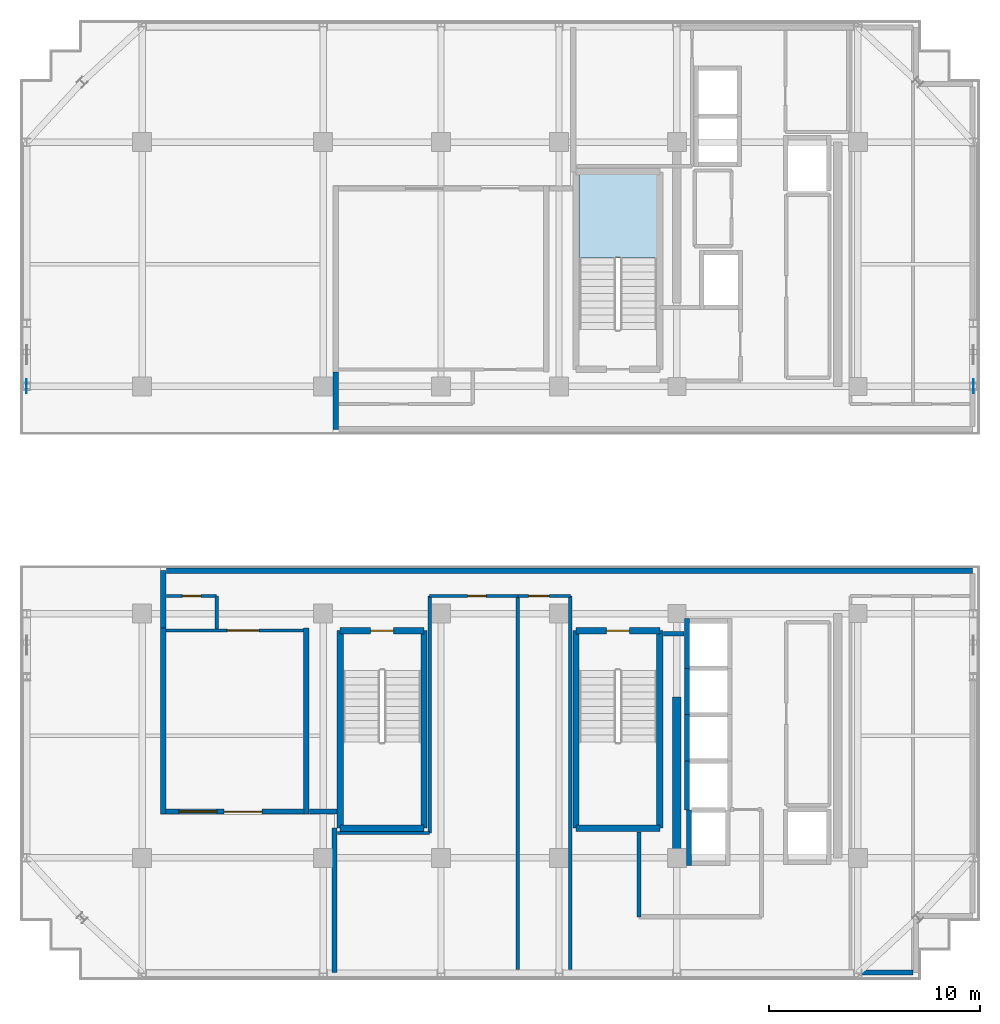
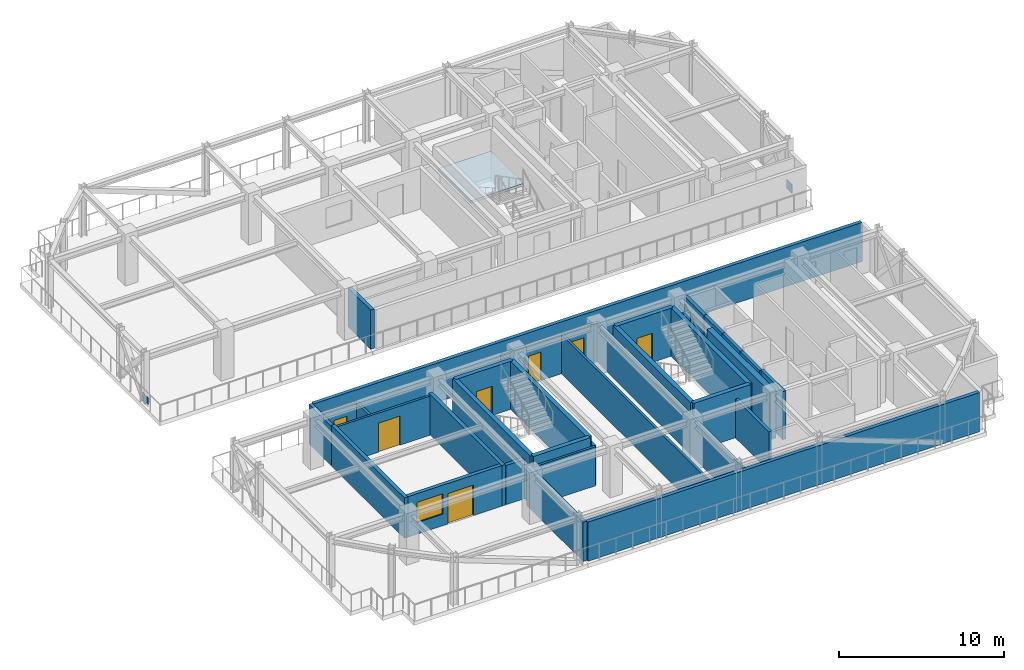
# One storey, part 5 of 14: 34 walls, 7 doors, 2 plates, 1 slab, 1 window, 8 openings, 1 element without a shape of its own.
"""IFC4 building model written with IfcOpenShell, lengths in metres."""

from ifc_helpers import new_model, si_unit, direction, frame, frame_2d, origin, origin_2d, place, context, subcontext, project, spatial, polyline, rectangle, outline, extrude, source, transform, mapped, material, layer, layer_set, type_object, element, fill, aggregate, save


model = new_model("IFC4")

# Units and contexts
model_context = context("Model", 3, precision=1e-05, world=origin(), true_north=direction((0.0, 1.0)))
body_context = subcontext(model_context, "Body", "Model", "MODEL_VIEW")
ifc_project = project(units=[si_unit("LENGTHUNIT", "METRE"), si_unit("AREAUNIT", "SQUARE_METRE"), si_unit("VOLUMEUNIT", "CUBIC_METRE"), si_unit("PLANEANGLEUNIT", "RADIAN"), si_unit("MASSUNIT", "GRAM", prefix="KILO")], contexts=[model_context])

# Site, building, storey
site_placement = place(None, origin())
site = spatial("IfcSite", under=ifc_project, at=site_placement, CompositionType="ELEMENT")
building_placement = place(site_placement, origin())
building = spatial("IfcBuilding", under=site, at=building_placement, Name="Nahalor Promenade Grand Hotel", CompositionType="ELEMENT")
storey_placement = place(building_placement, frame((0.0, 0.0, 296.5)))
storey = spatial("IfcBuildingStorey", under=building, at=storey_placement, Name="L76", CompositionType="ELEMENT", Elevation=296.5)

# Stair, slab
ifc_material_1 = material(Name="Concrete B-50 (C40/50)", Category="concrete")
stair_type = type_object("IfcStairType", Name="Stair-ST1", PredefinedType="HALF_TURN_STAIR", material=ifc_material_1)
stair_placement = place(storey_placement, origin())
stair = element("IfcStair", 1, at=stair_placement, inside=storey, type_object=stair_type, Name="L76 ST1", PredefinedType="HALF_TURN_STAIR")
ifc_layer_1 = layer(ifc_material_1, 0.199951171875)
ifc_layer_set_1 = layer_set([ifc_layer_1], Name="Concrete B-50 (C40/50)")
slab_type = type_object("IfcSlabType", Name="Landing-ST1", PredefinedType="LANDING", material=ifc_layer_set_1)
slab_placement = place(storey_placement, frame((0.0, 0.0, 1.72509765625)))
slab = element("IfcSlab", 2, at=slab_placement, type_object=slab_type, Name="ST1 landing 1", PredefinedType="LANDING", context=body_context, shape_type="SweptSolid", body=[
    extrude(outline(polyline([(7.449951171875, 11.5), (7.449951171875, 15.449951171875), (3.75, 15.449951171875), (3.75, 11.5), (7.449951171875, 11.5)])), origin(), (0.0, 0.0, 1.0), 0.199951171875),
])
aggregate(stair, [slab])

# Plates
ifc_material_2 = material(Name="Steel S355JR", Category="steel")
ifc_layer_2 = layer(ifc_material_2, 0.02392578125)
ifc_layer_set_2 = layer_set([ifc_layer_2], Name="Steel S355JR")
plate_type = type_object("IfcPlateType", Name="Plate-Gusset-24", PredefinedType="USERDEFINED", material=ifc_layer_set_2)
shared_shape_1 = source(origin(), body_context, "Body", "SweptSolid", [
    extrude(rectangle(XDim=0.679931640625, YDim=0.02392578125, at=origin_2d()), origin(), (0.0, 0.0, 1.0), 0.679931640625),
])
for number, where, z_axis, x_axis, name in (
    (3, (-22.47998046875, 5.39990234375, -0.18994140625), (0.0, 0.0, 1.0), (0.0, 1.0, 0.0), "PL-L76-PN1-W"),
    (4, (22.47998046875, 5.39990234375, -0.18994140625), (0.0, 0.0, 1.0), (0.0, 1.0, 0.0), "PL-L76-PN1-E"),
):
    element("IfcPlate", number, at=place(storey_placement, frame(where, z_axis=z_axis, x_axis=x_axis)), inside=storey, type_object=plate_type, Name=name, ObjectType="GUSSET_PLATE", PredefinedType="USERDEFINED", context=body_context, shape_type="MappedRepresentation", body=[
        mapped(shared_shape_1, transform((0.0, 0.0, 0.0), scale=1.0)),
    ])

# Walls
ifc_layer_3 = layer(ifc_material_1, 0.39990234375)
ifc_layer_set_3 = layer_set([ifc_layer_3], Name="Concrete B-50 (C40/50)")
wall_type_1 = type_object("IfcWallType", Name="Wall-CoreShear-400", PredefinedType="SHEAR", material=ifc_layer_set_3)
shared_shape_2 = source(origin(), body_context, "Body", "SweptSolid", [
    extrude(rectangle(XDim=7.64990234375, YDim=0.39990234375, at=frame_2d((3.824951171875, 0.0))), origin(), (0.0, 0.0, 1.0), 3.550048828125),
])
wall_1_placement = place(storey_placement, frame((8.39990234375, -17.0, 0.0), z_axis=(0.0, 0.0, 1.0), x_axis=(0.0, 1.0, 0.0)))
element("IfcWall", 5, at=wall_1_placement, inside=storey, type_object=wall_type_1, Name="CWALL-L76-SW", PredefinedType="SHEAR", context=body_context, shape_type="MappedRepresentation", body=[
    mapped(shared_shape_2, transform((0.0, 0.0, 0.0), scale=1.0)),
])
ifc_layer_4 = layer(ifc_material_1, 0.300048828125)
ifc_layer_set_4 = layer_set([ifc_layer_4], Name="Concrete B-50 (C40/50)")
wall_type_2 = type_object("IfcWallType", Name="Wall-ShaftShear-300", PredefinedType="SHEAR", material=ifc_layer_set_4)
shared_shape_3 = source(origin(), body_context, "Body", "SweptSolid", [
    extrude(rectangle(XDim=3.97998046875, YDim=0.300048828125, at=frame_2d((1.989990234375, 0.0))), origin(), (0.0, 0.0, 1.0), 3.550048828125),
])
wall_2_placement = place(storey_placement, frame((3.610107421875, -15.590087890625, 0.0), z_axis=(0.0, 0.0, 1.0), x_axis=(1.0, 0.0, 0.0)))
element("IfcWall", 6, at=wall_2_placement, inside=storey, type_object=wall_type_2, Name="L76 Exit Stair ST2 Shaft Wall S", PredefinedType="SHEAR", context=body_context, shape_type="MappedRepresentation", body=[
    mapped(shared_shape_3, transform((0.0, 0.0, 0.0), scale=1.0)),
])

# Wall, opening, door
wall_3_placement = place(storey_placement, frame((3.610107421875, -6.2099609375, 0.0), z_axis=(0.0, 0.0, 1.0), x_axis=(1.0, 0.0, 0.0)))
wall_3 = element("IfcWall", 7, at=wall_3_placement, inside=storey, type_object=wall_type_2, Name="L76 Exit Stair ST2 Shaft Wall N", PredefinedType="SHEAR", context=body_context, shape_type="MappedRepresentation", body=[
    mapped(shared_shape_3, transform((0.0, 0.0, 0.0), scale=1.0)),
])
opening_1_placement = place(wall_3_placement, frame((1.43994140625, 0.0, 0.0)))
opening_1 = element("IfcOpeningElement", 8, at=opening_1_placement, cuts=wall_3, Name="Opening D-ST1", PredefinedType="OPENING", context=body_context, shape_type="SweptSolid", body=[
    extrude(rectangle(XDim=1.10009765625, YDim=2.14990234375, at=frame_2d((0.550048828125, 1.074951171875))), frame((0.0, 0.159912109375, 0.0), z_axis=(0.0, -1.0, 0.0), x_axis=(1.0, 0.0, 0.0)), (0.0, 0.0, 1.0), 0.320068359375),
])
door_type_1 = type_object("IfcDoorType", Name="Door-StairFire-1100", OperationType="NOTDEFINED", PredefinedType="DOOR", material=ifc_material_2)
shared_shape_4 = source(origin(), body_context, "Body", "SweptSolid", [
    extrude(rectangle(XDim=1.10009765625, YDim=2.14990234375, at=frame_2d((0.550048828125, 1.074951171875))), frame((0.0, 0.02490234375, 0.0), z_axis=(0.0, -1.0, 0.0), x_axis=(1.0, 0.0, 0.0)), (0.0, 0.0, 1.0), 0.050048828125),
])
door_1_placement = place(opening_1_placement, frame((1.10009765625, 0.0, 0.0), z_axis=(0.0, 0.0, 1.0), x_axis=(-1.0, 0.0, 0.0)))
door_1 = element("IfcDoor", 9, at=door_1_placement, inside=storey, type_object=door_type_1, Name="DR-STAIR-ST2-L76", OperationType="SINGLE_SWING_LEFT", OverallHeight=2.14990234375, OverallWidth=1.10009765625, PredefinedType="DOOR", context=body_context, shape_type="MappedRepresentation", body=[
    mapped(shared_shape_4, transform((0.0, 0.0, 0.0), scale=1.0)),
])
fill(opening_1, door_1)

# Wall
wall_4_placement = place(storey_placement, frame((-7.590087890625, -15.590087890625, 0.0), z_axis=(0.0, 0.0, 1.0), x_axis=(1.0, 0.0, 0.0)))
element("IfcWall", 10, at=wall_4_placement, inside=storey, type_object=wall_type_2, Name="L76 Exit Stair ST3 Shaft Wall S", PredefinedType="SHEAR", context=body_context, shape_type="MappedRepresentation", body=[
    mapped(shared_shape_3, transform((0.0, 0.0, 0.0), scale=1.0)),
])

# Wall, opening, door
wall_5_placement = place(storey_placement, frame((-7.590087890625, -6.2099609375, 0.0), z_axis=(0.0, 0.0, 1.0), x_axis=(1.0, 0.0, 0.0)))
wall_5 = element("IfcWall", 11, at=wall_5_placement, inside=storey, type_object=wall_type_2, Name="L76 Exit Stair ST3 Shaft Wall N", PredefinedType="SHEAR", context=body_context, shape_type="MappedRepresentation", body=[
    mapped(shared_shape_3, transform((0.0, 0.0, 0.0), scale=1.0)),
])
opening_2_placement = place(wall_5_placement, frame((1.43994140625, 0.0, 0.0)))
opening_2 = element("IfcOpeningElement", 12, at=opening_2_placement, cuts=wall_5, Name="Opening D-ST1", PredefinedType="OPENING", context=body_context, shape_type="SweptSolid", body=[
    extrude(rectangle(XDim=1.10009765625, YDim=2.14990234375, at=frame_2d((0.550048828125, 1.074951171875))), frame((0.0, 0.159912109375, 0.0), z_axis=(0.0, -1.0, 0.0), x_axis=(1.0, 0.0, 0.0)), (0.0, 0.0, 1.0), 0.320068359375),
])
door_2_placement = place(opening_2_placement, frame((1.10009765625, 0.0, 0.0), z_axis=(0.0, 0.0, 1.0), x_axis=(-1.0, 0.0, 0.0)))
door_2 = element("IfcDoor", 13, at=door_2_placement, inside=storey, type_object=door_type_1, Name="DR-STAIR-ST3-L76", OperationType="SINGLE_SWING_LEFT", OverallHeight=2.14990234375, OverallWidth=1.10009765625, PredefinedType="DOOR", context=body_context, shape_type="MappedRepresentation", body=[
    mapped(shared_shape_4, transform((0.0, 0.0, 0.0), scale=1.0)),
])
fill(opening_2, door_2)

# Walls
shared_shape_5 = source(origin(), body_context, "Body", "SweptSolid", [
    extrude(rectangle(XDim=9.380126953125, YDim=0.300048828125, at=frame_2d((4.68994140625, 0.0))), origin(), (0.0, 0.0, 1.0), 3.550048828125),
])
for number, where, z_axis, x_axis, name in (
    (14, (3.610107421875, -15.590087890625, 0.0), (0.0, 0.0, 1.0), (0.0, 1.0, 0.0), "L76 Exit Stair ST2 Shaft Wall W"),
    (15, (7.590087890625, -15.590087890625, 0.0), (0.0, 0.0, 1.0), (0.0, 1.0, 0.0), "L76 Exit Stair ST2 Shaft Wall E"),
    (16, (-7.590087890625, -15.590087890625, 0.0), (0.0, 0.0, 1.0), (0.0, 1.0, 0.0), "L76 Exit Stair ST3 Shaft Wall W"),
    (17, (-3.610107421875, -15.590087890625, 0.0), (0.0, 0.0, 1.0), (0.0, 1.0, 0.0), "L76 Exit Stair ST3 Shaft Wall E"),
):
    element("IfcWall", number, at=place(storey_placement, frame(where, z_axis=z_axis, x_axis=x_axis)), inside=storey, type_object=wall_type_2, Name=name, PredefinedType="SHEAR", context=body_context, shape_type="MappedRepresentation", body=[
        mapped(shared_shape_5, transform((0.0, 0.0, 0.0), scale=1.0)),
    ])
ifc_layer_5 = layer(ifc_material_1, 0.219970703125)
ifc_layer_set_5 = layer_set([ifc_layer_5], Name="Concrete B-50 (C40/50)")
wall_type_3 = type_object("IfcWallType", Name="Wall-LiftShaft-220", PredefinedType="SHEAR", material=ifc_layer_set_5)
shared_shape_6 = source(origin(), body_context, "Body", "SweptSolid", [
    extrude(rectangle(XDim=2.360107421875, YDim=0.219970703125, at=frame_2d((1.18017578125, 0.0))), origin(), (0.0, 0.0, 1.0), 3.550048828125),
])
wall_6_placement = place(storey_placement, frame((8.8798828125, -8.0, 0.0), z_axis=(0.0, 0.0, 1.0), x_axis=(0.0, 1.0, 0.0)))
element("IfcWall", 18, at=wall_6_placement, inside=storey, type_object=wall_type_3, Name="L76 Lift PL9 Hoistway Wall W", PredefinedType="SHEAR", context=body_context, shape_type="MappedRepresentation", body=[
    mapped(shared_shape_6, transform((0.0, 0.0, 0.0), scale=1.0)),
])
shared_shape_7 = source(origin(), body_context, "Body", "SweptSolid", [
    extrude(rectangle(XDim=2.199951171875, YDim=0.219970703125, at=frame_2d((1.10009765625, 0.0))), origin(), (0.0, 0.0, 1.0), 3.550048828125),
])
for number, where, z_axis, x_axis, name in (
    (19, (8.8798828125, -10.199951171875, 0.0), (0.0, 0.0, 1.0), (0.0, 1.0, 0.0), "L76 Lift PL10 Hoistway Wall W"),
    (20, (8.8798828125, -12.39990234375, 0.0), (0.0, 0.0, 1.0), (0.0, 1.0, 0.0), "L76 Lift PL11 Hoistway Wall W"),
):
    element("IfcWall", number, at=place(storey_placement, frame(where, z_axis=z_axis, x_axis=x_axis)), inside=storey, type_object=wall_type_3, Name=name, PredefinedType="SHEAR", context=body_context, shape_type="MappedRepresentation", body=[
        mapped(shared_shape_7, transform((0.0, 0.0, 0.0), scale=1.0)),
    ])
shared_shape_8 = source(origin(), body_context, "Body", "SweptSolid", [
    extrude(rectangle(XDim=2.3251953125, YDim=0.219970703125, at=frame_2d((1.16259765625, 0.0))), origin(), (0.0, 0.0, 1.0), 3.550048828125),
])
wall_7_placement = place(storey_placement, frame((8.8798828125, -14.72509765625, 0.0), z_axis=(0.0, 0.0, 1.0), x_axis=(0.0, 1.0, 0.0)))
element("IfcWall", 21, at=wall_7_placement, inside=storey, type_object=wall_type_3, Name="L76 Lift PL12 Hoistway Wall W", PredefinedType="SHEAR", context=body_context, shape_type="MappedRepresentation", body=[
    mapped(shared_shape_8, transform((0.0, 0.0, 0.0), scale=1.0)),
])
shared_shape_9 = source(origin(), body_context, "Body", "SweptSolid", [
    extrude(rectangle(XDim=2.635009765625, YDim=0.219970703125, at=frame_2d((1.3173828125, 0.0))), origin(), (0.0, 0.0, 1.0), 3.550048828125),
])
wall_8_placement = place(storey_placement, frame((8.97998046875, -17.360107421875, 0.0), z_axis=(0.0, 0.0, 1.0), x_axis=(0.0, 1.0, 0.0)))
element("IfcWall", 22, at=wall_8_placement, inside=storey, type_object=wall_type_3, Name="L76 Lift FL2 Hoistway Wall W", PredefinedType="SHEAR", context=body_context, shape_type="MappedRepresentation", body=[
    mapped(shared_shape_9, transform((0.0, 0.0, 0.0), scale=1.0)),
])
ifc_material_3 = material(Name="Concrete B-40 (C32/40)", Category="concrete")
ifc_layer_6 = layer(ifc_material_3, 0.25)
ifc_layer_set_6 = layer_set([ifc_layer_6], Name="Concrete B-40 (C32/40)")
wall_type_4 = type_object("IfcWallType", Name="Wall-BronzePier-250", PredefinedType="STANDARD", material=ifc_layer_set_6)
shared_shape_10 = source(origin(), body_context, "Body", "SweptSolid", [
    extrude(rectangle(XDim=8.83984375, YDim=0.25, at=frame_2d((4.419921875, 0.0))), origin(), (0.0, 0.0, 1.0), 2.989990234375),
])
for number, where, z_axis, x_axis, name in (
    (23, (-16.0, -14.919921875, 0.0), (0.0, 0.0, 1.0), (0.0, 1.0, 0.0), "W-L76-WPGAL-S-W"),
    (24, (-9.199951171875, -14.919921875, 0.0), (0.0, 0.0, 1.0), (0.0, 1.0, 0.0), "W-L76-WPGAL-S-E"),
):
    element("IfcWall", number, at=place(storey_placement, frame(where, z_axis=z_axis, x_axis=x_axis)), inside=storey, type_object=wall_type_4, Name=name, PredefinedType="STANDARD", context=body_context, shape_type="MappedRepresentation", body=[
        mapped(shared_shape_10, transform((0.0, 0.0, 0.0), scale=1.0)),
    ])

# Wall, openings, door, window
shared_shape_11 = source(origin(), body_context, "Body", "SweptSolid", [
    extrude(rectangle(XDim=6.559814453125, YDim=0.25, at=frame_2d((3.27978515625, 0.0))), origin(), (0.0, 0.0, 1.0), 2.989990234375),
])
wall_9_placement = place(storey_placement, frame((-15.8798828125, -14.800048828125, 0.0), z_axis=(0.0, 0.0, 1.0), x_axis=(1.0, 0.0, 0.0)))
wall_9 = element("IfcWall", 25, at=wall_9_placement, inside=storey, type_object=wall_type_4, Name="W-L76-WPGAL-S-S", PredefinedType="STANDARD", context=body_context, shape_type="MappedRepresentation", body=[
    mapped(shared_shape_11, transform((0.0, 0.0, 0.0), scale=1.0)),
])
opening_3_placement = place(wall_9_placement, frame((2.780029296875, 0.0, 0.0)))
opening_3 = element("IfcOpeningElement", 26, at=opening_3_placement, cuts=wall_9, Name="Opening D-BC1", PredefinedType="OPENING", context=body_context, shape_type="SweptSolid", body=[
    extrude(rectangle(XDim=1.800048828125, YDim=2.25, at=frame_2d((0.89990234375, 1.125))), frame((0.0, 0.135009765625, 0.0), z_axis=(0.0, -1.0, 0.0), x_axis=(1.0, 0.0, 0.0)), (0.0, 0.0, 1.0), 0.27001953125),
])
opening_4_placement = place(wall_9_placement, frame((0.6298828125, 0.0, 0.85009765625)))
opening_4 = element("IfcOpeningElement", 27, at=opening_4_placement, cuts=wall_9, Name="Opening WN-01", PredefinedType="OPENING", context=body_context, shape_type="SweptSolid", body=[
    extrude(rectangle(XDim=1.800048828125, YDim=1.5, at=frame_2d((0.89990234375, 0.75))), frame((0.0, 0.135009765625, 0.0), z_axis=(0.0, -1.0, 0.0), x_axis=(1.0, 0.0, 0.0)), (0.0, 0.0, 1.0), 0.27001953125),
])
ifc_material_4 = material(Name="Anodised Bronze Aluminium EN AW-6063 T6", Category="aluminium")
door_type_2 = type_object("IfcDoorType", Name="Door-BalconySlide-1800", OperationType="DOUBLE_DOOR_SLIDING", PredefinedType="DOOR", material=ifc_material_4)
shared_shape_12 = source(origin(), body_context, "Body", "SweptSolid", [
    extrude(rectangle(XDim=1.800048828125, YDim=2.25, at=frame_2d((0.89990234375, 1.125))), frame((0.0, 0.02490234375, 0.0), z_axis=(0.0, -1.0, 0.0), x_axis=(1.0, 0.0, 0.0)), (0.0, 0.0, 1.0), 0.050048828125),
])
door_3_placement = place(opening_3_placement, frame((1.800048828125, 0.0, 0.0), z_axis=(0.0, 0.0, 1.0), x_axis=(-1.0, 0.0, 0.0)))
door_3 = element("IfcDoor", 28, at=door_3_placement, inside=storey, type_object=door_type_2, Name="DR-L76-WP-S", OperationType="DOUBLE_DOOR_SLIDING", OverallHeight=2.25, OverallWidth=1.800048828125, PredefinedType="DOOR", context=body_context, shape_type="MappedRepresentation", body=[
    mapped(shared_shape_12, transform((0.0, 0.0, 0.0), scale=1.0)),
])
fill(opening_3, door_3)
ifc_material_5 = material(Name="Low-E Laminated Solar Glass", Category="glass")
window_type = type_object("IfcWindowType", Name="Win-ChicagoBay-1800x1500", PartitioningType="SINGLE_PANEL", PredefinedType="WINDOW", material=ifc_material_5)
shared_shape_13 = source(origin(), body_context, "Body", "SweptSolid", [
    extrude(rectangle(XDim=1.800048828125, YDim=1.5, at=frame_2d((0.89990234375, 0.75))), frame((0.0, 0.030029296875, 0.0), z_axis=(0.0, -1.0, 0.0), x_axis=(1.0, 0.0, 0.0)), (0.0, 0.0, 1.0), 0.06005859375),
])
window_placement = place(opening_4_placement, origin())
window = element("IfcWindow", 29, at=window_placement, inside=storey, type_object=window_type, Name="WN-L76-WP-S", OverallHeight=1.5, OverallWidth=1.800048828125, PartitioningType="SINGLE_PANEL", PredefinedType="WINDOW", context=body_context, shape_type="MappedRepresentation", body=[
    mapped(shared_shape_13, transform((0.0, 0.0, 0.0), scale=1.0)),
])
fill(opening_4, window)

# Walls
ifc_layer_7 = layer(ifc_material_3, 0.199951171875)
ifc_layer_set_7 = layer_set([ifc_layer_7], Name="Concrete B-40 (C32/40)")
wall_type_5 = type_object("IfcWallType", Name="Wall-PartFire-200", PredefinedType="PARTITIONING", material=ifc_layer_set_7)
shared_shape_14 = source(origin(), body_context, "Body", "SweptSolid", [
    extrude(rectangle(XDim=4.030029296875, YDim=0.199951171875, at=frame_2d((2.01513671875, 0.0))), origin(), (0.0, 0.0, 1.0), 2.889892578125),
])
wall_10_placement = place(storey_placement, frame((6.60009765625, -19.800048828125, 0.0), z_axis=(0.0, 0.0, 1.0), x_axis=(0.0, 1.0, 0.0)))
element("IfcWall", 30, at=wall_10_placement, inside=storey, type_object=wall_type_5, Name="W-L76-FF2-W1", PredefinedType="PARTITIONING", context=body_context, shape_type="MappedRepresentation", body=[
    mapped(shared_shape_14, transform((0.0, 0.0, 0.0), scale=1.0)),
])
shared_shape_15 = source(origin(), body_context, "Body", "SweptSolid", [
    extrude(rectangle(XDim=0.969970703125, YDim=0.199951171875, at=frame_2d((0.48486328125, 0.0))), origin(), (0.0, 0.0, 1.0), 2.889892578125),
])
wall_11_placement = place(storey_placement, frame((7.77001953125, -6.35009765625, 0.0), z_axis=(0.0, 0.0, 1.0), x_axis=(1.0, 0.0, 0.0)))
element("IfcWall", 31, at=wall_11_placement, inside=storey, type_object=wall_type_5, Name="W-L76-FF2-N2", PredefinedType="PARTITIONING", context=body_context, shape_type="MappedRepresentation", body=[
    mapped(shared_shape_15, transform((0.0, 0.0, 0.0), scale=1.0)),
])
shared_shape_16 = source(origin(), body_context, "Body", "SweptSolid", [
    extrude(rectangle(XDim=2.719970703125, YDim=0.25, at=frame_2d((1.35986328125, 0.0))), origin(), (0.0, 0.0, 1.0), 2.889892578125),
])
for number, where, z_axis, x_axis, name in (
    (32, (-7.800048828125, 3.360107421875, 0.0), (0.0, 0.0, 1.0), (0.0, 1.0, 0.0), "W-L76-WPENV-NW"),
    (33, (-16.0, -6.080078125, 0.0), (0.0, 0.0, 1.0), (0.0, 1.0, 0.0), "W-L76-WPENV-SW"),
):
    element("IfcWall", number, at=place(storey_placement, frame(where, z_axis=z_axis, x_axis=x_axis)), inside=storey, type_object=wall_type_4, Name=name, PredefinedType="STANDARD", context=body_context, shape_type="MappedRepresentation", body=[
        mapped(shared_shape_16, transform((0.0, 0.0, 0.0), scale=1.0)),
    ])
shared_shape_17 = source(origin(), body_context, "Body", "SweptSolid", [
    extrude(rectangle(XDim=6.85986328125, YDim=0.25, at=frame_2d((3.429931640625, 0.0))), origin(), (0.0, 0.0, 1.0), 2.889892578125),
])
wall_12_placement = place(storey_placement, frame((-7.860107421875, -22.43994140625, 0.0), z_axis=(0.0, 0.0, 1.0), x_axis=(0.0, 1.0, 0.0)))
element("IfcWall", 34, at=wall_12_placement, inside=storey, type_object=wall_type_4, Name="W-L76-WPENV-SM2", PredefinedType="STANDARD", context=body_context, shape_type="MappedRepresentation", body=[
    mapped(shared_shape_17, transform((0.0, 0.0, 0.0), scale=1.0)),
])
shared_shape_18 = source(origin(), body_context, "Body", "SweptSolid", [
    extrude(rectangle(XDim=38.280029296875, YDim=0.25, at=frame_2d((19.14013671875, 0.0))), origin(), (0.0, 0.0, 1.0), 2.889892578125),
])
wall_13_placement = place(storey_placement, frame((-15.840087890625, -3.360107421875, 0.0), z_axis=(0.0, 0.0, 1.0), x_axis=(1.0, 0.0, 0.0)))
element("IfcWall", 35, at=wall_13_placement, inside=storey, type_object=wall_type_4, Name="W-L76-WPENV-SN", PredefinedType="STANDARD", context=body_context, shape_type="MappedRepresentation", body=[
    mapped(shared_shape_18, transform((0.0, 0.0, 0.0), scale=1.0)),
])
shared_shape_19 = source(origin(), body_context, "Body", "SweptSolid", [
    extrude(rectangle(XDim=1.2900390625, YDim=0.25, at=frame_2d((0.64501953125, 0.0))), origin(), (0.0, 0.0, 1.0), 2.889892578125),
])
wall_14_placement = place(storey_placement, frame((-9.0400390625, -14.800048828125, 0.0), z_axis=(0.0, 0.0, 1.0), x_axis=(1.0, 0.0, 0.0)))
element("IfcWall", 36, at=wall_14_placement, inside=storey, type_object=wall_type_4, Name="W-L76-WPENV-SM1", PredefinedType="STANDARD", context=body_context, shape_type="MappedRepresentation", body=[
    mapped(shared_shape_19, transform((0.0, 0.0, 0.0), scale=1.0)),
])
shared_shape_20 = source(origin(), body_context, "Body", "SweptSolid", [
    extrude(rectangle(XDim=27.340087890625, YDim=0.25, at=frame_2d((13.669921875, 0.0))), origin(), (0.0, 0.0, 1.0), 2.889892578125),
])
wall_15_placement = place(storey_placement, frame((-7.719970703125, -22.43994140625, 0.0), z_axis=(0.0, 0.0, 1.0), x_axis=(1.0, 0.0, 0.0)))
element("IfcWall", 37, at=wall_15_placement, inside=storey, type_object=wall_type_4, Name="W-L76-WPENV-SS", PredefinedType="STANDARD", context=body_context, shape_type="MappedRepresentation", body=[
    mapped(shared_shape_20, transform((0.0, 0.0, 0.0), scale=1.0)),
])
ifc_material_6 = material(Name="Acoustic Mineral Gypsum", Category="gypsum")
ifc_layer_8 = layer(ifc_material_6, 0.159912109375)
ifc_layer_set_8 = layer_set([ifc_layer_8], Name="Acoustic Mineral Gypsum")
wall_type_6 = type_object("IfcWallType", Name="Wall-PartCorridor-160", PredefinedType="PARTITIONING", material=ifc_layer_set_8)
shared_shape_21 = source(origin(), body_context, "Body", "SweptSolid", [
    extrude(rectangle(XDim=1.56005859375, YDim=0.159912109375, at=frame_2d((0.780029296875, 0.0))), origin(), (0.0, 0.0, 1.0), 2.889892578125),
])
wall_16_placement = place(storey_placement, frame((-13.4599609375, -6.1201171875, 0.0), z_axis=(0.0, 0.0, 1.0), x_axis=(0.0, 1.0, 0.0)))
element("IfcWall", 38, at=wall_16_placement, inside=storey, type_object=wall_type_6, Name="W-L76-WPSW1-E", PredefinedType="PARTITIONING", context=body_context, shape_type="MappedRepresentation", body=[
    mapped(shared_shape_21, transform((0.0, 0.0, 0.0), scale=1.0)),
])
shared_shape_22 = source(origin(), body_context, "Body", "SweptSolid", [
    extrude(rectangle(XDim=17.739990234375, YDim=0.159912109375, at=frame_2d((8.8701171875, 0.0))), origin(), (0.0, 0.0, 1.0), 2.889892578125),
])
for number, where, z_axis, x_axis, name in (
    (39, (0.85009765625, -22.300048828125, 0.0), (0.0, 0.0, 1.0), (0.0, 1.0, 0.0), "W-L76-WPSC1-E"),
    (40, (3.340087890625, -22.300048828125, 0.0), (0.0, 0.0, 1.0), (0.0, 1.0, 0.0), "W-L76-WPSC2-E"),
):
    element("IfcWall", number, at=place(storey_placement, frame(where, z_axis=z_axis, x_axis=x_axis)), inside=storey, type_object=wall_type_6, Name=name, PredefinedType="PARTITIONING", context=body_context, shape_type="MappedRepresentation", body=[
        mapped(shared_shape_22, transform((0.0, 0.0, 0.0), scale=1.0)),
    ])

# Wall, opening, door
shared_shape_23 = source(origin(), body_context, "Body", "SweptSolid", [
    extrude(rectangle(XDim=6.52001953125, YDim=0.159912109375, at=frame_2d((3.260009765625, 0.0))), origin(), (0.0, 0.0, 1.0), 2.889892578125),
])
wall_17_placement = place(storey_placement, frame((-15.860107421875, -6.199951171875, 0.0), z_axis=(0.0, 0.0, 1.0), x_axis=(1.0, 0.0, 0.0)))
wall_17 = element("IfcWall", 41, at=wall_17_placement, inside=storey, type_object=wall_type_6, Name="W-L76-WPGAL-S-N", PredefinedType="PARTITIONING", context=body_context, shape_type="MappedRepresentation", body=[
    mapped(shared_shape_23, transform((0.0, 0.0, 0.0), scale=1.0)),
])
opening_5_placement = place(wall_17_placement, frame((2.909912109375, 0.0, 0.0)))
opening_5 = element("IfcOpeningElement", 42, at=opening_5_placement, cuts=wall_17, Name="Opening D-02", PredefinedType="OPENING", context=body_context, shape_type="SweptSolid", body=[
    extrude(rectangle(XDim=1.5, YDim=2.14990234375, at=frame_2d((0.75, 1.074951171875))), frame((0.0, 0.08984375, 0.0), z_axis=(0.0, -1.0, 0.0), x_axis=(1.0, 0.0, 0.0)), (0.0, 0.0, 1.0), 0.179931640625),
])
ifc_material_7 = material(Name="Fire-Rated Timber Composite", Category="wood")
door_type_3 = type_object("IfcDoorType", Name="Door-SuiteDouble-1500", OperationType="DOUBLE_DOOR_SINGLE_SWING", PredefinedType="DOOR", material=ifc_material_7)
shared_shape_24 = source(origin(), body_context, "Body", "SweptSolid", [
    extrude(rectangle(XDim=1.5, YDim=2.14990234375, at=frame_2d((0.75, 1.074951171875))), frame((0.0, 0.02490234375, 0.0), z_axis=(0.0, -1.0, 0.0), x_axis=(1.0, 0.0, 0.0)), (0.0, 0.0, 1.0), 0.050048828125),
])
door_4_placement = place(opening_5_placement, frame((1.5, 0.0, 0.0), z_axis=(0.0, 0.0, 1.0), x_axis=(-1.0, 0.0, 0.0)))
door_4 = element("IfcDoor", 43, at=door_4_placement, inside=storey, type_object=door_type_3, Name="DR-L76-WPGAL-S-IN", OperationType="DOUBLE_DOOR_SINGLE_SWING", OverallHeight=2.14990234375, OverallWidth=1.5, PredefinedType="DOOR", context=body_context, shape_type="MappedRepresentation", body=[
    mapped(shared_shape_24, transform((0.0, 0.0, 0.0), scale=1.0)),
])
fill(opening_5, door_4)

shared_shape_25 = source(origin(), body_context, "Body", "SweptSolid", [
    extrude(rectangle(XDim=2.380126953125, YDim=0.159912109375, at=frame_2d((1.18994140625, 0.0))), origin(), (0.0, 0.0, 1.0), 2.889892578125),
])
wall_18_placement = place(storey_placement, frame((-15.840087890625, -4.56005859375, 0.0), z_axis=(0.0, 0.0, 1.0), x_axis=(1.0, 0.0, 0.0)))
wall_18 = element("IfcWall", 44, at=wall_18_placement, inside=storey, type_object=wall_type_6, Name="W-L76-WPSW1-N", PredefinedType="PARTITIONING", context=body_context, shape_type="MappedRepresentation", body=[
    mapped(shared_shape_25, transform((0.0, 0.0, 0.0), scale=1.0)),
])
opening_6_placement = place(wall_18_placement, frame((0.75, 0.0, 0.0)))
opening_6 = element("IfcOpeningElement", 45, at=opening_6_placement, cuts=wall_18, Name="Opening D-03", PredefinedType="OPENING", context=body_context, shape_type="SweptSolid", body=[
    extrude(rectangle(XDim=0.8798828125, YDim=2.10009765625, at=frame_2d((0.43994140625, 1.050048828125))), frame((0.0, 0.08984375, 0.0), z_axis=(0.0, -1.0, 0.0), x_axis=(1.0, 0.0, 0.0)), (0.0, 0.0, 1.0), 0.179931640625),
])
door_type_4 = type_object("IfcDoorType", Name="Door-BathSwing-880", OperationType="NOTDEFINED", PredefinedType="DOOR", material=ifc_material_7)
shared_shape_26 = source(origin(), body_context, "Body", "SweptSolid", [
    extrude(rectangle(XDim=0.8798828125, YDim=2.10009765625, at=frame_2d((0.43994140625, 1.050048828125))), frame((0.0, 0.02490234375, 0.0), z_axis=(0.0, -1.0, 0.0), x_axis=(1.0, 0.0, 0.0)), (0.0, 0.0, 1.0), 0.050048828125),
])
door_5_placement = place(opening_6_placement, frame((0.8798828125, 0.0, 0.0), z_axis=(0.0, 0.0, 1.0), x_axis=(-1.0, 0.0, 0.0)))
door_5 = element("IfcDoor", 46, at=door_5_placement, inside=storey, type_object=door_type_4, Name="DR-L76-WPSW1", OperationType="SINGLE_SWING_LEFT", OverallHeight=2.10009765625, OverallWidth=0.8798828125, PredefinedType="DOOR", context=body_context, shape_type="MappedRepresentation", body=[
    mapped(shared_shape_26, transform((0.0, 0.0, 0.0), scale=1.0)),
])
fill(opening_6, door_5)

shared_shape_27 = source(origin(), body_context, "Body", "SweptSolid", [
    extrude(rectangle(XDim=4.190185546875, YDim=0.159912109375, at=frame_2d((2.09521484375, 0.0))), origin(), (0.0, 0.0, 1.0), 2.889892578125),
])
wall_19_placement = place(storey_placement, frame((-3.340087890625, -4.56005859375, 0.0), z_axis=(0.0, 0.0, 1.0), x_axis=(1.0, 0.0, 0.0)))
wall_19 = element("IfcWall", 47, at=wall_19_placement, inside=storey, type_object=wall_type_6, Name="W-L76-WPSC1-N", PredefinedType="PARTITIONING", context=body_context, shape_type="MappedRepresentation", body=[
    mapped(shared_shape_27, transform((0.0, 0.0, 0.0), scale=1.0)),
])
opening_7_placement = place(wall_19_placement, frame((1.800048828125, 0.0, 0.0)))
opening_7 = element("IfcOpeningElement", 48, at=opening_7_placement, cuts=wall_19, Name="Opening D-03", PredefinedType="OPENING", context=body_context, shape_type="SweptSolid", body=[
    extrude(rectangle(XDim=0.8798828125, YDim=2.10009765625, at=frame_2d((0.43994140625, 1.050048828125))), frame((0.0, 0.08984375, 0.0), z_axis=(0.0, -1.0, 0.0), x_axis=(1.0, 0.0, 0.0)), (0.0, 0.0, 1.0), 0.179931640625),
])
door_6_placement = place(opening_7_placement, frame((0.8798828125, 0.0, 0.0), z_axis=(0.0, 0.0, 1.0), x_axis=(-1.0, 0.0, 0.0)))
door_6 = element("IfcDoor", 49, at=door_6_placement, inside=storey, type_object=door_type_4, Name="DR-L76-WPSC1", OperationType="SINGLE_SWING_RIGHT", OverallHeight=2.10009765625, OverallWidth=0.8798828125, PredefinedType="DOOR", context=body_context, shape_type="MappedRepresentation", body=[
    mapped(shared_shape_26, transform((0.0, 0.0, 0.0), scale=1.0)),
])
fill(opening_7, door_6)

# Walls
shared_shape_28 = source(origin(), body_context, "Body", "SweptSolid", [
    extrude(rectangle(XDim=11.260009765625, YDim=0.159912109375, at=frame_2d((5.6298828125, 0.0))), origin(), (0.0, 0.0, 1.0), 2.889892578125),
])
wall_20_placement = place(storey_placement, frame((-3.340087890625, -15.820068359375, 0.0), z_axis=(0.0, 0.0, 1.0), x_axis=(0.0, 1.0, 0.0)))
element("IfcWall", 50, at=wall_20_placement, inside=storey, type_object=wall_type_6, Name="W-L76-WPSC1-W1", PredefinedType="PARTITIONING", context=body_context, shape_type="MappedRepresentation", body=[
    mapped(shared_shape_28, transform((0.0, 0.0, 0.0), scale=1.0)),
])
shared_shape_29 = source(origin(), body_context, "Body", "SweptSolid", [
    extrude(rectangle(XDim=4.3798828125, YDim=0.159912109375, at=frame_2d((2.18994140625, 0.0))), origin(), (0.0, 0.0, 1.0), 2.889892578125),
])
wall_21_placement = place(storey_placement, frame((-7.719970703125, -15.820068359375, 0.0), z_axis=(0.0, 0.0, 1.0), x_axis=(1.0, 0.0, 0.0)))
element("IfcWall", 51, at=wall_21_placement, inside=storey, type_object=wall_type_6, Name="W-L76-WPSC1-NW", PredefinedType="PARTITIONING", context=body_context, shape_type="MappedRepresentation", body=[
    mapped(shared_shape_29, transform((0.0, 0.0, 0.0), scale=1.0)),
])

# Wall, opening, door
shared_shape_30 = source(origin(), body_context, "Body", "SweptSolid", [
    extrude(rectangle(XDim=2.489990234375, YDim=0.159912109375, at=frame_2d((1.2451171875, 0.0))), origin(), (0.0, 0.0, 1.0), 2.889892578125),
])
wall_22_placement = place(storey_placement, frame((0.85009765625, -4.56005859375, 0.0), z_axis=(0.0, 0.0, 1.0), x_axis=(1.0, 0.0, 0.0)))
wall_22 = element("IfcWall", 52, at=wall_22_placement, inside=storey, type_object=wall_type_6, Name="W-L76-WPSC2-N", PredefinedType="PARTITIONING", context=body_context, shape_type="MappedRepresentation", body=[
    mapped(shared_shape_30, transform((0.0, 0.0, 0.0), scale=1.0)),
])
opening_8_placement = place(wall_22_placement, frame((0.510009765625, 0.0, 0.0)))
opening_8 = element("IfcOpeningElement", 53, at=opening_8_placement, cuts=wall_22, Name="Opening D-05", PredefinedType="OPENING", context=body_context, shape_type="SweptSolid", body=[
    extrude(rectangle(XDim=0.97998046875, YDim=2.10009765625, at=frame_2d((0.489990234375, 1.050048828125))), frame((0.0, 0.08984375, 0.0), z_axis=(0.0, -1.0, 0.0), x_axis=(1.0, 0.0, 0.0)), (0.0, 0.0, 1.0), 0.179931640625),
])
door_type_5 = type_object("IfcDoorType", Name="Door-AccessibleWC-980", OperationType="NOTDEFINED", PredefinedType="DOOR", material=ifc_material_7)
shared_shape_31 = source(origin(), body_context, "Body", "SweptSolid", [
    extrude(rectangle(XDim=0.97998046875, YDim=2.10009765625, at=frame_2d((0.489990234375, 1.050048828125))), frame((0.0, 0.02490234375, 0.0), z_axis=(0.0, -1.0, 0.0), x_axis=(1.0, 0.0, 0.0)), (0.0, 0.0, 1.0), 0.050048828125),
])
door_7_placement = place(opening_8_placement, frame((0.97998046875, 0.0, 0.0), z_axis=(0.0, 0.0, 1.0), x_axis=(-1.0, 0.0, 0.0)))
door_7 = element("IfcDoor", 54, at=door_7_placement, inside=storey, type_object=door_type_5, Name="DR-L76-WPSC2", OperationType="SINGLE_SWING_LEFT", OverallHeight=2.10009765625, OverallWidth=0.97998046875, PredefinedType="DOOR", context=body_context, shape_type="MappedRepresentation", body=[
    mapped(shared_shape_31, transform((0.0, 0.0, 0.0), scale=1.0)),
])
fill(opening_8, door_7)

save(model, "model.ifc")
